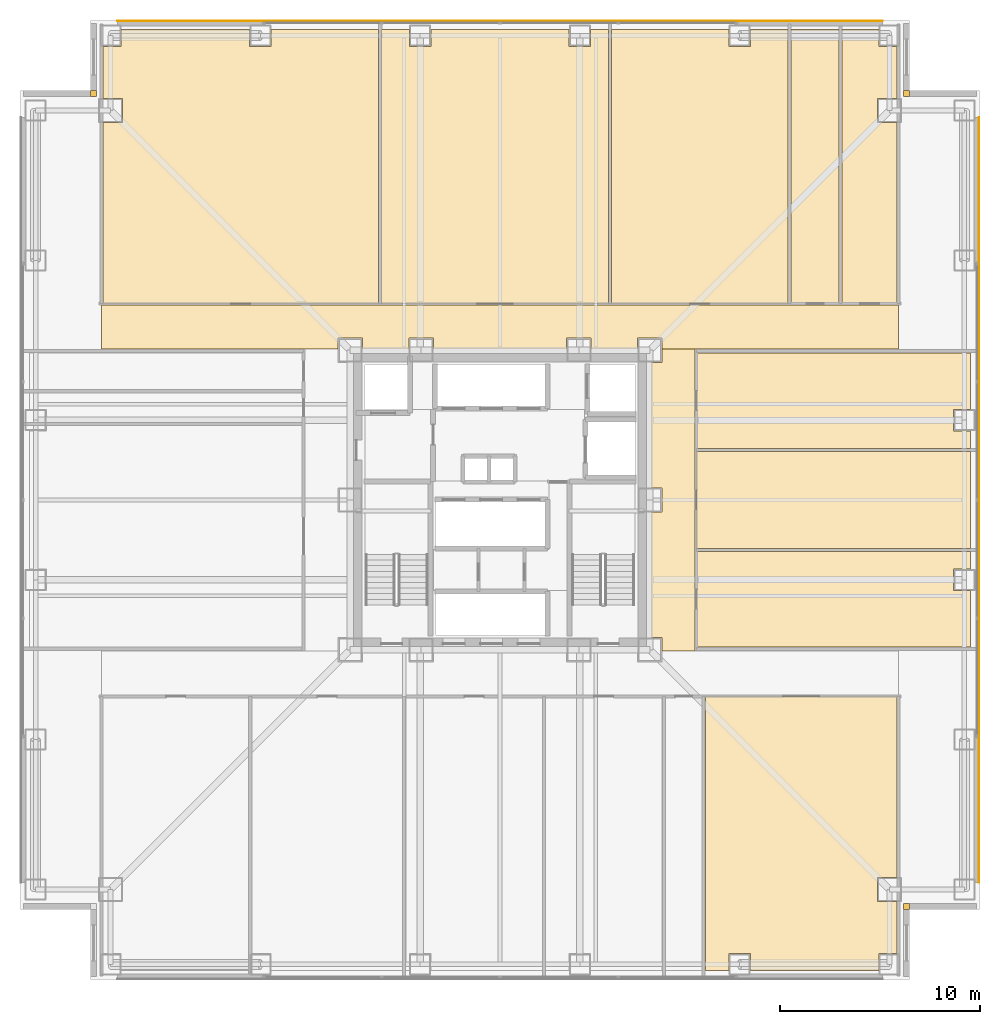
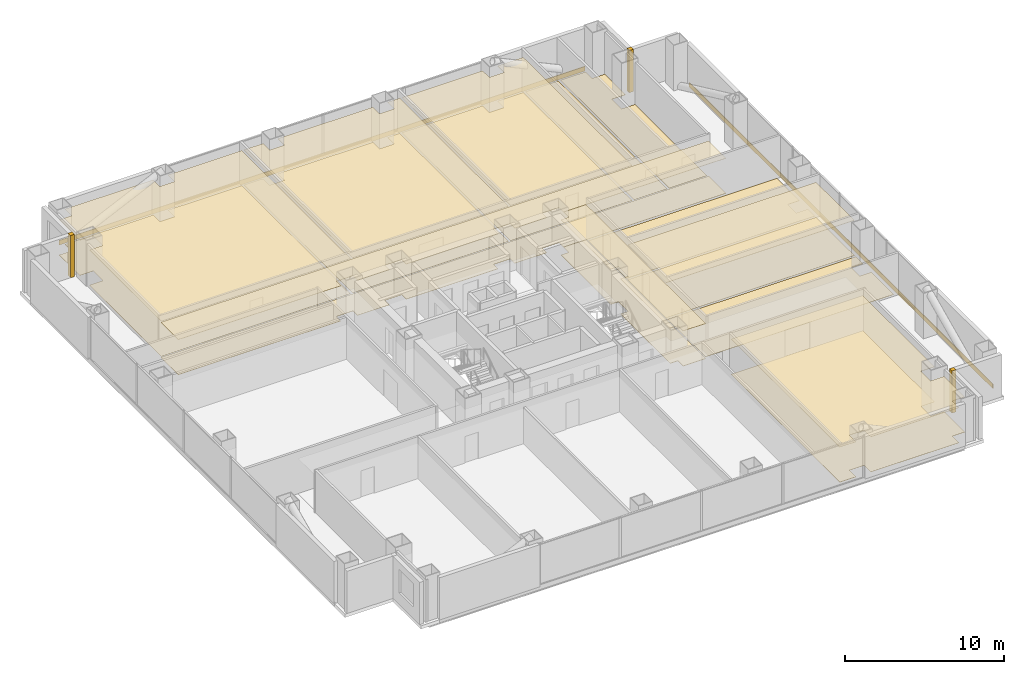
# One storey, part 15 of 15: 23 coverings.
"""IFC4 building model written with IfcOpenShell, lengths in metres."""

from ifc_helpers import new_model, si_unit, direction, frame, frame_2d, origin, place, context, subcontext, project, spatial, polyline, rectangle, outline, extrude, material, layer, layer_set, type_object, element, save


model = new_model("IFC4")

# Units and contexts
model_context = context("Model", 3, precision=1e-05, world=origin(), true_north=direction((0.0, 1.0)))
body_context = subcontext(model_context, "Body", "Model", "MODEL_VIEW")
ifc_project = project(units=[si_unit("LENGTHUNIT", "METRE"), si_unit("AREAUNIT", "SQUARE_METRE"), si_unit("VOLUMEUNIT", "CUBIC_METRE"), si_unit("PLANEANGLEUNIT", "RADIAN"), si_unit("MASSUNIT", "GRAM", prefix="KILO")], contexts=[model_context])

# Site, building, storey
site_placement = place(None, origin())
site = spatial("IfcSite", under=ifc_project, at=site_placement, CompositionType="ELEMENT")
building_placement = place(site_placement, origin())
building = spatial("IfcBuilding", under=site, at=building_placement, Name="Trevonay Congress Spire", CompositionType="ELEMENT")
storey_placement = place(building_placement, frame((0.0, 0.0, 44.5)))
storey = spatial("IfcBuildingStorey", under=building, at=storey_placement, Name="L10", CompositionType="ELEMENT", Elevation=44.5)

# Coverings
ifc_material_1 = material(Name="Acoustic Mineral Fibre Board", Category="gypsum")
ifc_layer_1 = layer(ifc_material_1, 0.02490234375, Name="Acoustic Mineral Fibre Board")
ifc_layer_set_1 = layer_set([ifc_layer_1], Name="Acoustic Mineral Fibre Board")
covering_type_1 = type_object("IfcCoveringType", Name="COV-CEIL-ACOUSTIC", PredefinedType="CEILING", material=ifc_layer_set_1)
covering_1_placement = place(storey_placement, frame((0.0, 0.0, 2.699951171875)))
element("IfcCovering", 1, at=covering_1_placement, inside=storey, type_object=covering_type_1, Name="L10 Hotel Floor Corridor North acoustic suspended ceiling", PredefinedType="CEILING", context=body_context, shape_type="SweptSolid", body=[
    extrude(outline(polyline([(-19.949951171875, 7.550048828125), (-19.949951171875, 9.75), (19.949951171875, 9.75), (19.949951171875, 7.550048828125), (8.110107421875, 7.550048828125), (8.110107421875, 8.110107421875), (6.889892578125, 8.110107421875), (6.889892578125, 7.550048828125), (4.56005859375, 7.550048828125), (4.56005859375, 8.110107421875), (3.340087890625, 8.110107421875), (3.340087890625, 7.550048828125), (-3.340087890625, 7.550048828125), (-3.340087890625, 8.110107421875), (-4.56005859375, 8.110107421875), (-4.56005859375, 7.550048828125), (-6.889892578125, 7.550048828125), (-6.889892578125, 8.110107421875), (-8.110107421875, 8.110107421875), (-8.110107421875, 7.550048828125), (-19.949951171875, 7.550048828125)])), origin(), (0.0, 0.0, 1.0), 0.025146484375),
])
covering_2_placement = place(storey_placement, frame((0.0, 0.0, 2.699951171875)))
element("IfcCovering", 2, at=covering_2_placement, inside=storey, type_object=covering_type_1, Name="L10 Hotel Floor Corridor East acoustic suspended ceiling", PredefinedType="CEILING", context=body_context, shape_type="SweptSolid", body=[
    extrude(outline(polyline([(9.75, -7.550048828125), (8.110107421875, -7.550048828125), (8.110107421875, -6.889892578125), (7.550048828125, -6.889892578125), (7.550048828125, -0.610107421875), (8.110107421875, -0.610107421875), (8.110107421875, 0.610107421875), (7.550048828125, 0.610107421875), (7.550048828125, 6.889892578125), (8.110107421875, 6.889892578125), (8.110107421875, 7.550048828125), (9.75, 7.550048828125), (9.75, -7.550048828125)])), origin(), (0.0, 0.0, 1.0), 0.025146484375),
])
covering_3_placement = place(storey_placement, frame((0.0, 0.0, 2.699951171875)))
element("IfcCovering", 3, at=covering_3_placement, inside=storey, type_object=covering_type_1, Name="L10 Delegate Seminar Room D acoustic suspended ceiling", PredefinedType="CEILING", context=body_context, shape_type="SweptSolid", body=[
    extrude(outline(polyline([(10.280029296875, -23.550048828125), (10.280029296875, -9.830078125), (19.8701171875, -9.830078125), (19.8701171875, -18.889892578125), (18.889892578125, -18.889892578125), (18.889892578125, -20.110107421875), (19.8701171875, -20.110107421875), (19.8701171875, -22.715087890625), (18.965087890625, -22.715087890625), (18.965087890625, -23.550048828125), (12.534912109375, -23.550048828125), (12.534912109375, -22.715087890625), (11.465087890625, -22.715087890625), (11.465087890625, -23.550048828125), (10.280029296875, -23.550048828125)])), origin(), (0.0, 0.0, 1.0), 0.025146484375),
])
covering_4_placement = place(storey_placement, frame((0.0, 0.0, 2.699951171875)))
element("IfcCovering", 4, at=covering_4_placement, inside=storey, type_object=covering_type_1, Name="L10 Translation Secretariat Office West acoustic suspended ceiling", PredefinedType="CEILING", context=body_context, shape_type="SweptSolid", body=[
    extrude(outline(polyline([(-6.080078125, 23.550048828125), (-6.080078125, 9.830078125), (-19.8701171875, 9.830078125), (-19.8701171875, 18.889892578125), (-18.889892578125, 18.889892578125), (-18.889892578125, 20.110107421875), (-19.8701171875, 20.110107421875), (-19.8701171875, 22.715087890625), (-18.965087890625, 22.715087890625), (-18.965087890625, 23.550048828125), (-12.534912109375, 23.550048828125), (-12.534912109375, 22.715087890625), (-11.465087890625, 22.715087890625), (-11.465087890625, 23.550048828125), (-6.080078125, 23.550048828125)])), origin(), (0.0, 0.0, 1.0), 0.025146484375),
])
covering_5_placement = place(storey_placement, frame((0.0, 0.0, 2.699951171875)))
element("IfcCovering", 5, at=covering_5_placement, inside=storey, type_object=covering_type_1, Name="L10 Rapporteur Drafting Salon acoustic suspended ceiling", PredefinedType="CEILING", context=body_context, shape_type="SweptSolid", body=[
    extrude(outline(polyline([(5.419921875, 23.550048828125), (5.419921875, 9.830078125), (-5.919921875, 9.830078125), (-5.919921875, 23.550048828125), (-4.534912109375, 23.550048828125), (-4.534912109375, 22.715087890625), (-3.465087890625, 22.715087890625), (-3.465087890625, 23.550048828125), (3.465087890625, 23.550048828125), (3.465087890625, 22.715087890625), (4.534912109375, 22.715087890625), (4.534912109375, 23.550048828125), (5.419921875, 23.550048828125)])), origin(), (0.0, 0.0, 1.0), 0.025146484375),
])
covering_6_placement = place(storey_placement, frame((0.0, 0.0, 2.699951171875)))
element("IfcCovering", 6, at=covering_6_placement, inside=storey, type_object=covering_type_1, Name="L10 Congress Operations Office East acoustic suspended ceiling", PredefinedType="CEILING", context=body_context, shape_type="SweptSolid", body=[
    extrude(outline(polyline([(14.419921875, 23.550048828125), (14.419921875, 9.830078125), (5.580078125, 9.830078125), (5.580078125, 23.550048828125), (11.465087890625, 23.550048828125), (11.465087890625, 22.715087890625), (12.534912109375, 22.715087890625), (12.534912109375, 23.550048828125), (14.419921875, 23.550048828125)])), origin(), (0.0, 0.0, 1.0), 0.025146484375),
])
covering_7_placement = place(storey_placement, frame((0.0, 0.0, 2.699951171875)))
element("IfcCovering", 7, at=covering_7_placement, inside=storey, type_object=covering_type_1, Name="L10 Hotel Business Office acoustic suspended ceiling", PredefinedType="CEILING", context=body_context, shape_type="SweptSolid", body=[
    extrude(outline(polyline([(9.830078125, -2.419921875), (23.550048828125, -2.419921875), (23.550048828125, 2.419921875), (9.830078125, 2.419921875), (9.830078125, -2.419921875)])), origin(), (0.0, 0.0, 1.0), 0.025146484375),
])
ifc_material_2 = material(Name="Polished Granite Floor Tile", Category="masonry")
ifc_layer_2 = layer(ifc_material_2, 0.02001953125, Name="Polished Granite Floor Tile")
ifc_layer_set_2 = layer_set([ifc_layer_2], Name="Polished Granite Floor Tile")
covering_type_2 = type_object("IfcCoveringType", Name="COV-FLOOR-STONE", PredefinedType="FLOORING", material=ifc_layer_set_2)
covering_8_placement = place(storey_placement, origin())
element("IfcCovering", 8, at=covering_8_placement, inside=storey, type_object=covering_type_2, Name="L10 Hotel Floor Corridor North floor finish", PredefinedType="FLOORING", context=body_context, shape_type="SweptSolid", body=[
    extrude(outline(polyline([(-19.949951171875, 7.550048828125), (-19.949951171875, 9.75), (19.949951171875, 9.75), (19.949951171875, 7.550048828125), (8.110107421875, 7.550048828125), (8.110107421875, 8.110107421875), (6.889892578125, 8.110107421875), (6.889892578125, 7.550048828125), (4.56005859375, 7.550048828125), (4.56005859375, 8.110107421875), (3.340087890625, 8.110107421875), (3.340087890625, 7.550048828125), (-3.340087890625, 7.550048828125), (-3.340087890625, 8.110107421875), (-4.56005859375, 8.110107421875), (-4.56005859375, 7.550048828125), (-6.889892578125, 7.550048828125), (-6.889892578125, 8.110107421875), (-8.110107421875, 8.110107421875), (-8.110107421875, 7.550048828125), (-19.949951171875, 7.550048828125)])), origin(), (0.0, 0.0, 1.0), 0.02001953125),
])
covering_9_placement = place(storey_placement, origin())
element("IfcCovering", 9, at=covering_9_placement, inside=storey, type_object=covering_type_2, Name="L10 Hotel Floor Corridor East floor finish", PredefinedType="FLOORING", context=body_context, shape_type="SweptSolid", body=[
    extrude(outline(polyline([(9.75, -7.550048828125), (8.110107421875, -7.550048828125), (8.110107421875, -6.889892578125), (7.550048828125, -6.889892578125), (7.550048828125, -0.610107421875), (8.110107421875, -0.610107421875), (8.110107421875, 0.610107421875), (7.550048828125, 0.610107421875), (7.550048828125, 6.889892578125), (8.110107421875, 6.889892578125), (8.110107421875, 7.550048828125), (9.75, 7.550048828125), (9.75, -7.550048828125)])), origin(), (0.0, 0.0, 1.0), 0.02001953125),
])
covering_10_placement = place(storey_placement, origin())
element("IfcCovering", 10, at=covering_10_placement, inside=storey, type_object=covering_type_2, Name="L10 Female Restroom WC floor finish", PredefinedType="FLOORING", context=body_context, shape_type="SweptSolid", body=[
    extrude(outline(polyline([(14.580078125, 9.830078125), (16.969970703125, 9.830078125), (16.969970703125, 23.550048828125), (14.580078125, 23.550048828125), (14.580078125, 9.830078125)])), origin(), (0.0, 0.0, 1.0), 0.02001953125),
])
covering_11_placement = place(storey_placement, origin())
element("IfcCovering", 11, at=covering_11_placement, inside=storey, type_object=covering_type_2, Name="L10 Floor Supplies and Copy Room floor finish", PredefinedType="FLOORING", context=body_context, shape_type="SweptSolid", body=[
    extrude(outline(polyline([(19.8701171875, 9.830078125), (17.1298828125, 9.830078125), (17.1298828125, 23.550048828125), (18.965087890625, 23.550048828125), (18.965087890625, 22.715087890625), (19.8701171875, 22.715087890625), (19.8701171875, 20.110107421875), (18.889892578125, 20.110107421875), (18.889892578125, 18.889892578125), (19.8701171875, 18.889892578125), (19.8701171875, 9.830078125)])), origin(), (0.0, 0.0, 1.0), 0.02001953125),
])
covering_12_placement = place(storey_placement, origin())
element("IfcCovering", 12, at=covering_12_placement, inside=storey, type_object=covering_type_2, Name="L10 Housekeeping and Linen Room floor finish", PredefinedType="FLOORING", context=body_context, shape_type="SweptSolid", body=[
    extrude(outline(polyline([(23.550048828125, -7.3701171875), (9.830078125, -7.3701171875), (9.830078125, -2.580078125), (23.550048828125, -2.580078125), (23.550048828125, -3.465087890625), (22.715087890625, -3.465087890625), (22.715087890625, -4.534912109375), (23.550048828125, -4.534912109375), (23.550048828125, -7.3701171875)])), origin(), (0.0, 0.0, 1.0), 0.02001953125),
])
covering_13_placement = place(storey_placement, origin())
element("IfcCovering", 13, at=covering_13_placement, inside=storey, type_object=covering_type_2, Name="L10 Valet Laundry Room floor finish", PredefinedType="FLOORING", context=body_context, shape_type="SweptSolid", body=[
    extrude(outline(polyline([(23.550048828125, 2.580078125), (9.830078125, 2.580078125), (9.830078125, 7.3701171875), (23.550048828125, 7.3701171875), (23.550048828125, 4.534912109375), (22.715087890625, 4.534912109375), (22.715087890625, 3.465087890625), (23.550048828125, 3.465087890625), (23.550048828125, 2.580078125)])), origin(), (0.0, 0.0, 1.0), 0.02001953125),
])
ifc_material_3 = material(Name="Engineered Oak Flooring", Category="wood")
ifc_layer_3 = layer(ifc_material_3, 0.01806640625, Name="Engineered Oak Flooring")
ifc_layer_set_3 = layer_set([ifc_layer_3], Name="Engineered Oak Flooring")
covering_type_3 = type_object("IfcCoveringType", Name="COV-FLOOR-TIMBER", PredefinedType="FLOORING", material=ifc_layer_set_3)
covering_14_placement = place(storey_placement, origin())
element("IfcCovering", 14, at=covering_14_placement, inside=storey, type_object=covering_type_3, Name="L10 Delegate Seminar Room D floor finish", PredefinedType="FLOORING", context=body_context, shape_type="SweptSolid", body=[
    extrude(outline(polyline([(10.280029296875, -23.550048828125), (10.280029296875, -9.830078125), (19.8701171875, -9.830078125), (19.8701171875, -18.889892578125), (18.889892578125, -18.889892578125), (18.889892578125, -20.110107421875), (19.8701171875, -20.110107421875), (19.8701171875, -22.715087890625), (18.965087890625, -22.715087890625), (18.965087890625, -23.550048828125), (12.534912109375, -23.550048828125), (12.534912109375, -22.715087890625), (11.465087890625, -22.715087890625), (11.465087890625, -23.550048828125), (10.280029296875, -23.550048828125)])), origin(), (0.0, 0.0, 1.0), 0.01806640625),
])
covering_15_placement = place(storey_placement, origin())
element("IfcCovering", 15, at=covering_15_placement, inside=storey, type_object=covering_type_3, Name="L10 Translation Secretariat Office West floor finish", PredefinedType="FLOORING", context=body_context, shape_type="SweptSolid", body=[
    extrude(outline(polyline([(-6.080078125, 23.550048828125), (-6.080078125, 9.830078125), (-19.8701171875, 9.830078125), (-19.8701171875, 18.889892578125), (-18.889892578125, 18.889892578125), (-18.889892578125, 20.110107421875), (-19.8701171875, 20.110107421875), (-19.8701171875, 22.715087890625), (-18.965087890625, 22.715087890625), (-18.965087890625, 23.550048828125), (-12.534912109375, 23.550048828125), (-12.534912109375, 22.715087890625), (-11.465087890625, 22.715087890625), (-11.465087890625, 23.550048828125), (-6.080078125, 23.550048828125)])), origin(), (0.0, 0.0, 1.0), 0.01806640625),
])
covering_16_placement = place(storey_placement, origin())
element("IfcCovering", 16, at=covering_16_placement, inside=storey, type_object=covering_type_3, Name="L10 Rapporteur Drafting Salon floor finish", PredefinedType="FLOORING", context=body_context, shape_type="SweptSolid", body=[
    extrude(outline(polyline([(5.419921875, 23.550048828125), (5.419921875, 9.830078125), (-5.919921875, 9.830078125), (-5.919921875, 23.550048828125), (-4.534912109375, 23.550048828125), (-4.534912109375, 22.715087890625), (-3.465087890625, 22.715087890625), (-3.465087890625, 23.550048828125), (3.465087890625, 23.550048828125), (3.465087890625, 22.715087890625), (4.534912109375, 22.715087890625), (4.534912109375, 23.550048828125), (5.419921875, 23.550048828125)])), origin(), (0.0, 0.0, 1.0), 0.01806640625),
])
covering_17_placement = place(storey_placement, origin())
element("IfcCovering", 17, at=covering_17_placement, inside=storey, type_object=covering_type_3, Name="L10 Congress Operations Office East floor finish", PredefinedType="FLOORING", context=body_context, shape_type="SweptSolid", body=[
    extrude(outline(polyline([(14.419921875, 23.550048828125), (14.419921875, 9.830078125), (5.580078125, 9.830078125), (5.580078125, 23.550048828125), (11.465087890625, 23.550048828125), (11.465087890625, 22.715087890625), (12.534912109375, 22.715087890625), (12.534912109375, 23.550048828125), (14.419921875, 23.550048828125)])), origin(), (0.0, 0.0, 1.0), 0.01806640625),
])
covering_18_placement = place(storey_placement, origin())
element("IfcCovering", 18, at=covering_18_placement, inside=storey, type_object=covering_type_3, Name="L10 Hotel Business Office floor finish", PredefinedType="FLOORING", context=body_context, shape_type="SweptSolid", body=[
    extrude(outline(polyline([(9.830078125, -2.419921875), (23.550048828125, -2.419921875), (23.550048828125, 2.419921875), (9.830078125, 2.419921875), (9.830078125, -2.419921875)])), origin(), (0.0, 0.0, 1.0), 0.01806640625),
])
ifc_material_4 = material(Name="Pale Anodised Aluminium EN AW-6063-T6", Category="aluminium")
ifc_layer_4 = layer(ifc_material_4, 0.0400390625, Name="Pale Anodised Aluminium EN AW-6063-T6")
ifc_layer_set_4 = layer_set([ifc_layer_4], Name="Pale Anodised Aluminium EN AW-6063-T6")
covering_type_4 = type_object("IfcCoveringType", Name="COV-SPANDREL-PALE-METAL", PredefinedType="CLADDING", material=ifc_layer_set_4)
for number, where, z_axis, x_axis, name in (
    (19, (-19.14990234375, 23.97998046875, -0.239990234375), (0.0, 0.0, 1.0), (1.0, 0.0, 0.0), "L10 N pale-metal slab-edge spandrel cladding"),
    (20, (23.97998046875, -19.14990234375, -0.239990234375), (0.0, 0.0, 1.0), (0.0, 1.0, 0.0), "L10 E pale-metal slab-edge spandrel cladding"),
):
    element("IfcCovering", number, at=place(storey_placement, frame(where, z_axis=z_axis, x_axis=x_axis)), inside=storey, type_object=covering_type_4, Name=name, PredefinedType="CLADDING", context=body_context, shape_type="SweptSolid", body=[
        extrude(rectangle(XDim=38.2998046875, YDim=0.0400390625, at=frame_2d((19.14990234375, 0.0))), origin(), (0.0, 0.0, 1.0), 0.360107421875),
    ])
covering_19_placement = place(storey_placement, origin())
element("IfcCovering", 21, at=covering_19_placement, inside=storey, type_object=covering_type_4, Name="L10 SE re-entrant notch corner closure trim", PredefinedType="CLADDING", context=body_context, shape_type="SweptSolid", body=[
    extrude(outline(polyline([(20.199951171875, -20.5), (20.5, -20.5), (20.5, -20.199951171875), (20.199951171875, -20.199951171875), (20.199951171875, -20.5)])), origin(), (0.0, 0.0, 1.0), 3.25),
])
covering_20_placement = place(storey_placement, origin())
element("IfcCovering", 22, at=covering_20_placement, inside=storey, type_object=covering_type_4, Name="L10 NE re-entrant notch corner closure trim", PredefinedType="CLADDING", context=body_context, shape_type="SweptSolid", body=[
    extrude(outline(polyline([(20.199951171875, 20.199951171875), (20.5, 20.199951171875), (20.5, 20.5), (20.199951171875, 20.5), (20.199951171875, 20.199951171875)])), origin(), (0.0, 0.0, 1.0), 3.25),
])
covering_21_placement = place(storey_placement, origin())
element("IfcCovering", 23, at=covering_21_placement, inside=storey, type_object=covering_type_4, Name="L10 NW re-entrant notch corner closure trim", PredefinedType="CLADDING", context=body_context, shape_type="SweptSolid", body=[
    extrude(outline(polyline([(-20.5, 20.199951171875), (-20.199951171875, 20.199951171875), (-20.199951171875, 20.5), (-20.5, 20.5), (-20.5, 20.199951171875)])), origin(), (0.0, 0.0, 1.0), 3.25),
])

save(model, "model.ifc")
